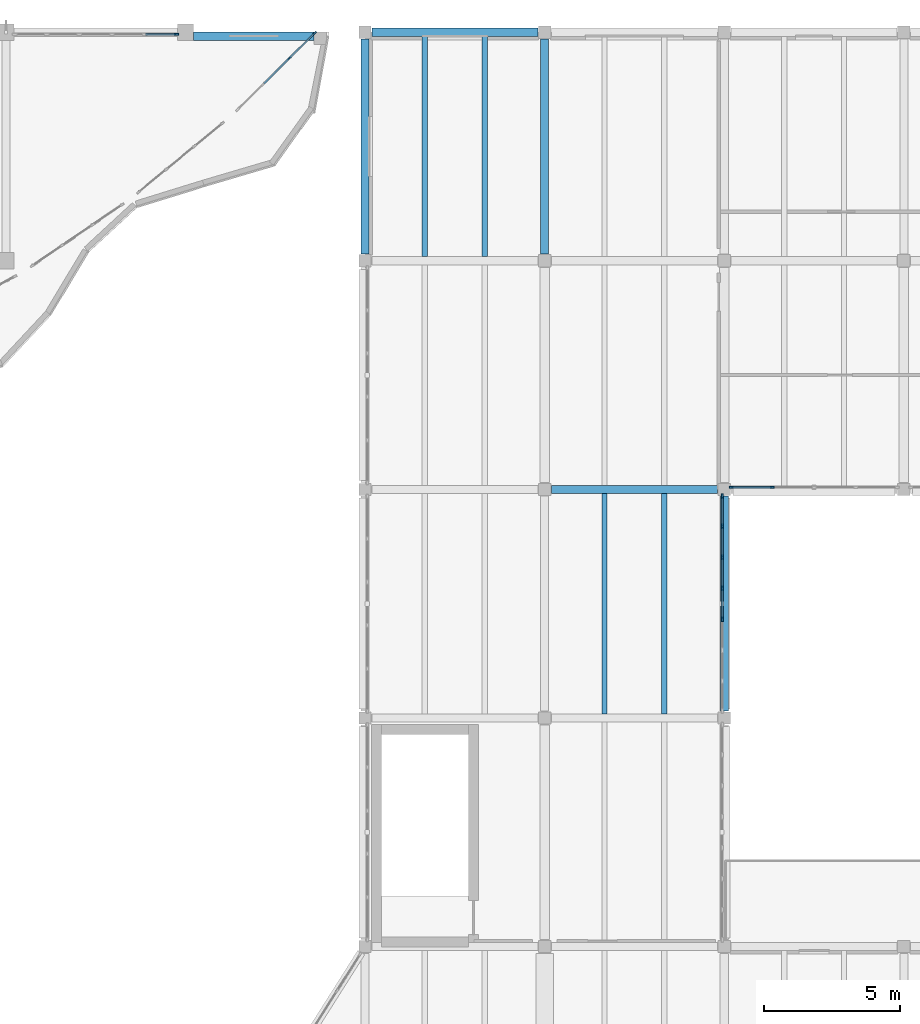
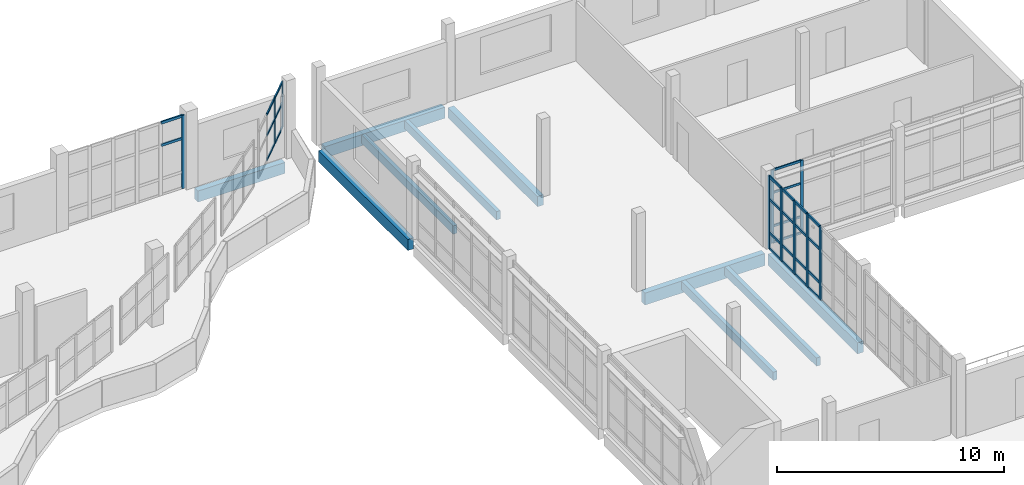
# One storey, part 31 of 74: 38 members, 10 beams, 4 elements without a shape of their own.
"""IFC4 building model written with IfcOpenShell, lengths in metres."""

import ifcopenshell
import ifcopenshell.guid

model = None  # the IFC model being written
_history = None  # IfcOwnerHistory: only IFC2X3 demands one
_inside = {}  # id of a spatial element -> (the spatial element, [elements in it])
_under = {}  # id of a project, library or spatial element -> (it, [spatial elements below it])
_declared = {}  # id of a project -> (the project, [libraries it declares])
_typed = {}  # id of a type object -> (the type object, [elements of that type])
_made_of = {}  # id of a material, layer set ... -> (it, [elements and type objects made of it])


def new_model(schema):
    """Start an empty IFC model of exactly this schema.

    Asked for "IFC4X3", IfcOpenShell would pick the latest addendum, in which some entities
    have other attributes; the version numbers below select the first issue.
    IFC2X3 requires an IfcOwnerHistory on every rooted entity: one is made here for all.
    """
    global model, _history
    if schema == "IFC4X3":
        model = ifcopenshell.file(schema_version=(4, 3, 0, 0))
    else:
        model = ifcopenshell.file(schema=schema)
    _inside.clear()
    _under.clear()
    _declared.clear()
    _typed.clear()
    _made_of.clear()
    _history = None
    if model.schema == "IFC2X3":
        org = make("IfcOrganization", Name="unknown")
        user = make(
            "IfcPersonAndOrganization",
            ThePerson=make("IfcPerson", FamilyName="unknown"),
            TheOrganization=org,
        )
        app = make(
            "IfcApplication",
            ApplicationDeveloper=org,
            Version="unknown",
            ApplicationFullName="unknown",
            ApplicationIdentifier="unknown",
        )
        _history = make(
            "IfcOwnerHistory",
            OwningUser=user,
            OwningApplication=app,
            ChangeAction="ADDED",
            CreationDate=0,
        )
    return model


def make(cls, **values):
    """One entity of the class cls with the attributes given. An attribute that is None is left unset."""
    return model.create_entity(
        cls, **{name: value for name, value in values.items() if value is not None}
    )


def rooted(cls, **values):
    """An entity with a GlobalId (a new one), such as an element, a storey or a relation."""
    return make(cls, GlobalId=ifcopenshell.guid.new(), OwnerHistory=_history, **values)


def si_unit(unit_type, name, prefix=None):
    """IfcSIUnit, for example si_unit("LENGTHUNIT", "METRE", prefix="MILLI")."""
    return make("IfcSIUnit", UnitType=unit_type, Prefix=prefix, Name=name)


def assignment(units):
    """IfcUnitAssignment: the units of a project."""
    return None if units is None else make("IfcUnitAssignment", Units=units)


def point(xyz):
    """IfcCartesianPoint."""
    return None if xyz is None else make("IfcCartesianPoint", Coordinates=xyz)


def direction(xyz):
    """IfcDirection."""
    return None if xyz is None else make("IfcDirection", DirectionRatios=xyz)


def frame(location, z_axis=None, x_axis=None):
    """IfcAxis2Placement3D, a coordinate frame: its origin and axes. An axis left out is left unset."""
    return make(
        "IfcAxis2Placement3D",
        Location=point(location),
        Axis=direction(z_axis),
        RefDirection=direction(x_axis),
    )


def frame_2d(location, x_axis=None):
    """IfcAxis2Placement2D, a coordinate frame in the plane: its origin and x axis."""
    return make(
        "IfcAxis2Placement2D", Location=point(location), RefDirection=direction(x_axis)
    )


def origin():
    """The frame at (0, 0, 0) with its axes left unset."""
    return frame((0.0, 0.0, 0.0))


def origin_2d():
    """The frame at (0, 0) in the plane with its x axis left unset."""
    return frame_2d((0.0, 0.0))


def place(relative_to, where):
    """IfcLocalPlacement: puts the frame where relative to a parent placement (None: the world)."""
    return make(
        "IfcLocalPlacement", PlacementRelTo=relative_to, RelativePlacement=where
    )


def context(
    kind, dimensions, precision=None, world=None, true_north=None, identifier=None
):
    """IfcGeometricRepresentationContext, for example the 3D "Model" context."""
    return make(
        "IfcGeometricRepresentationContext",
        ContextIdentifier=identifier,
        ContextType=kind,
        CoordinateSpaceDimension=dimensions,
        Precision=precision,
        WorldCoordinateSystem=world,
        TrueNorth=true_north,
    )


def subcontext(parent, identifier, kind, view, scale=None):
    """IfcGeometricRepresentationSubContext, for example "Body" below "Model"."""
    return make(
        "IfcGeometricRepresentationSubContext",
        ContextIdentifier=identifier,
        ContextType=kind,
        ParentContext=parent,
        TargetScale=scale,
        TargetView=view,
    )


def project(units=None, contexts=None):
    """IfcProject with its units and contexts."""
    return rooted(
        "IfcProject",
        Name="project",
        RepresentationContexts=contexts,
        UnitsInContext=assignment(units),
    )


def spatial(cls, under=None, at=None, **own):
    """A site, building, storey or space (cls), placed at a placement, below another one or the project."""
    s = rooted(cls, ObjectPlacement=at, **own)
    if under is not None:
        _under.setdefault(under.id(), (under, []))[1].append(s)
    return s


def profile(cls, at=None, kind="AREA", **sizes):
    """A parametric profile (cls). Its sizes go by their IFC names, for example OverallWidth=200.0."""
    return make(cls, ProfileType=kind, Position=at, **sizes)


def rectangle(**sizes):
    """IfcRectangleProfileDef."""
    return profile("IfcRectangleProfileDef", **sizes)


def extrude(swept, where, along, depth):
    """IfcExtrudedAreaSolid: the profile swept, set in the frame where, extruded along a direction by depth."""
    return make(
        "IfcExtrudedAreaSolid",
        SweptArea=swept,
        Position=where,
        ExtrudedDirection=direction(along),
        Depth=depth,
    )


def shape(context_of_items, identifier, shape_type, items):
    """IfcShapeRepresentation: the items that make up one representation, for example the "Body"."""
    return make(
        "IfcShapeRepresentation",
        ContextOfItems=context_of_items,
        RepresentationIdentifier=identifier,
        RepresentationType=shape_type,
        Items=items,
    )


def material(Name=None, Category=None):
    """IfcMaterial."""
    return make("IfcMaterial", Name=Name, Category=Category)


def material_profile(
    of_material, cross_section, Name=None, Category=None, Priority=None
):
    """IfcMaterialProfile: a cross section and its material."""
    return make(
        "IfcMaterialProfile",
        Name=Name,
        Material=of_material,
        Profile=cross_section,
        Priority=Priority,
        Category=Category,
    )


def profile_set(profiles, Name=None, composite=None):
    """IfcMaterialProfileSet."""
    return make(
        "IfcMaterialProfileSet",
        Name=Name,
        MaterialProfiles=profiles,
        CompositeProfile=composite,
    )


def made_of(thing, what):
    """Note that an element or type object is made of a material, layer set ...; save() writes the relation."""
    if what is not None:
        _made_of.setdefault(what.id(), (what, []))[1].append(thing)
    return thing


def type_object(cls, material=None, **own):
    """A type object (cls), such as IfcWallType, which elements share."""
    return made_of(rooted(cls, **own), material)


def element(
    cls,
    number,
    at=None,
    inside=None,
    cuts=None,
    type_object=None,
    material=None,
    context=None,
    identifier="Body",
    shape_type=None,
    held_by="IfcProductDefinitionShape",
    body=None,
    shapes=None,
    **own,
):
    """One element of the class cls, such as IfcWall. Its Tag is "e" and its number.

    at: its placement. inside: the storey or other place that contains it. cuts: it is an
    opening in that element (IfcRelVoidsElement). A single representation is given by context,
    identifier, shape_type and body (its items); several are given by shapes. held_by: the class
    of the entity that holds the representations. save() writes the other relations.
    """
    e = rooted(cls, Tag="e%d" % number, ObjectPlacement=at, **own)
    if body is not None:
        shapes = [shape(context, identifier, shape_type, body)]
    if shapes is not None:
        e.Representation = make(held_by, Representations=shapes)
    if inside is not None:
        _inside.setdefault(inside.id(), (inside, []))[1].append(e)
    if cuts is not None:
        rooted(
            "IfcRelVoidsElement", RelatingBuildingElement=cuts, RelatedOpeningElement=e
        )
    if type_object is not None:
        _typed.setdefault(type_object.id(), (type_object, []))[1].append(e)
    return made_of(e, material)


def aggregate(whole, parts):
    """IfcRelAggregates: a whole, such as a stair, and the parts it consists of."""
    return rooted("IfcRelAggregates", RelatingObject=whole, RelatedObjects=parts)


def save(model, path):
    """Write the relations noted so far, then the file.

    IfcRelAggregates (storeys below a building ...), IfcRelContainedInSpatialStructure (elements
    in a storey), IfcRelDefinesByType, IfcRelAssociatesMaterial and IfcRelDeclares: one each for
    every whole, place, type object, material and project.
    """
    for whole, parts in _under.values():
        aggregate(whole, parts)
    for where, things in _inside.values():
        rooted(
            "IfcRelContainedInSpatialStructure",
            RelatedElements=things,
            RelatingStructure=where,
        )
    for kind, things in _typed.values():
        rooted("IfcRelDefinesByType", RelatedObjects=things, RelatingType=kind)
    for what, things in _made_of.values():
        rooted("IfcRelAssociatesMaterial", RelatedObjects=things, RelatingMaterial=what)
    for by, libraries in _declared.values():
        rooted("IfcRelDeclares", RelatingContext=by, RelatedDefinitions=libraries)
    model.write(path)


model = new_model("IFC4")

# Units and contexts
model_context = context("Model", 3, precision=1e-05, world=origin(), true_north=direction((0.0, 1.0)))
body_context = subcontext(model_context, "Body", "Model", "MODEL_VIEW")
ifc_project = project(units=[si_unit("LENGTHUNIT", "METRE"), si_unit("AREAUNIT", "SQUARE_METRE"), si_unit("VOLUMEUNIT", "CUBIC_METRE"), si_unit("PLANEANGLEUNIT", "RADIAN"), si_unit("MASSUNIT", "GRAM", prefix="KILO")], contexts=[model_context])

# Site, building, storey
site_placement = place(None, origin())
site = spatial("IfcSite", under=ifc_project, at=site_placement, CompositionType="ELEMENT")
building_placement = place(site_placement, origin())
building = spatial("IfcBuilding", under=site, at=building_placement, Name="Qaldarim Faculty of Natural and Applied Sciences", CompositionType="ELEMENT")
storey_placement = place(building_placement, frame((0.0, 0.0, 14.39990234375)))
storey = spatial("IfcBuildingStorey", under=building, at=storey_placement, Name="L03", CompositionType="ELEMENT", Elevation=14.39990234375)

# Beams
ifc_material_1 = material(Name="Concrete C40/50", Category="concrete")
ifc_material_profile_1 = material_profile(ifc_material_1, rectangle(XDim=0.300048828125, YDim=0.550048828125, at=origin_2d()), Name="RC-B300x550")
ifc_profile_set_1 = profile_set([ifc_material_profile_1], Name="Concrete C40/50")
beam_type_1 = type_object("IfcBeamType", Name="FloorBeam-RC300x550", PredefinedType="BEAM", material=ifc_profile_set_1)
beam_1_placement = place(storey_placement, frame((158.39990234375, 109.449951171875, -0.534912109375), z_axis=(0.0, 1.0, 0.0), x_axis=(-1.0, 0.0, 0.0)))
element("IfcBeam", 1, at=beam_1_placement, inside=storey, type_object=beam_type_1, Name="Beam RC-B300x550 L02 X25/Y14-Y15", PredefinedType="BEAM", context=body_context, shape_type="SweptSolid", body=[
    extrude(rectangle(XDim=0.300048828125, YDim=0.550048828125, at=origin_2d()), origin(), (0.0, 0.0, 1.0), 7.900146484375),
])
ifc_material_profile_2 = material_profile(ifc_material_1, rectangle(XDim=0.199951171875, YDim=0.449951171875, at=origin_2d()), Name="RC-J200x450")
ifc_profile_set_2 = profile_set([ifc_material_profile_2], Name="Concrete C40/50")
beam_type_2 = type_object("IfcBeamType", Name="LabJoist-RC200x450", PredefinedType="JOIST", material=ifc_profile_set_2)
for number, where, z_axis, x_axis, name in (
    (2, (154.0, 109.35009765625, -0.48486328125), (0.0, 1.0, 0.0), (-1.0, 0.0, 0.0), "Laboratory joist L02 bay X24Y14-1"),
    (3, (156.199951171875, 109.35009765625, -0.48486328125), (0.0, 1.0, 0.0), (-1.0, 0.0, 0.0), "Laboratory joist L02 bay X24Y14-2"),
    (4, (160.60009765625, 92.550048828125, -0.48486328125), (0.0, 1.0, 0.0), (-1.0, 0.0, 0.0), "Laboratory joist L02 bay X25Y12-1"),
    (5, (162.800048828125, 92.550048828125, -0.48486328125), (0.0, 1.0, 0.0), (-1.0, 0.0, 0.0), "Laboratory joist L02 bay X25Y12-2"),
):
    element("IfcBeam", number, at=place(storey_placement, frame(where, z_axis=z_axis, x_axis=x_axis)), inside=storey, type_object=beam_type_2, Name=name, PredefinedType="JOIST", context=body_context, shape_type="SweptSolid", body=[
        extrude(rectangle(XDim=0.199951171875, YDim=0.449951171875, at=origin_2d()), origin(), (0.0, 0.0, 1.0), 8.099853515625),
    ])

# Curtain wall, members
ifc_material_2 = material(Name="Anodised aluminium AW-6063", Category="aluminium")
curtain_wall_type_1 = type_object("IfcCurtainWallType", Name="CurtainWallSystem-M1600", PredefinedType="USERDEFINED", material=ifc_material_2)
curtain_wall_1_placement = place(storey_placement, origin())
curtain_wall_1 = element("IfcCurtainWall", 6, at=curtain_wall_1_placement, inside=storey, type_object=curtain_wall_type_1, Name="Curtain wall CW-L03-S-X26Y13", ObjectType="UNITISED FACADE", PredefinedType="USERDEFINED")
ifc_material_profile_3 = material_profile(ifc_material_2, rectangle(XDim=0.06005859375, YDim=0.14990234375, at=origin_2d()), Name="ALU-M60x150")
ifc_profile_set_3 = profile_set([ifc_material_profile_3], Name="Anodised aluminium AW-6063")
member_type_1 = type_object("IfcMemberType", Name="Mullion-ALU60x150", PredefinedType="MULLION", material=ifc_profile_set_3)
member_1_placement = place(storey_placement, frame((165.25, 100.8798828125, 0.0), z_axis=(0.0, 0.0, 1.0), x_axis=(0.0, 1.0, 0.0)))
member_1 = element("IfcMember", 7, at=member_1_placement, type_object=member_type_1, Name="Mullion 1 of CW-L03-S-X26Y13", PredefinedType="MULLION", context=body_context, shape_type="SweptSolid", body=[
    extrude(rectangle(XDim=0.06005859375, YDim=0.14990234375, at=origin_2d()), origin(), (0.0, 0.0, 1.0), 3.940185546875),
])
member_2_placement = place(storey_placement, frame((166.760009765625, 100.8798828125, 0.0), z_axis=(0.0, 0.0, 1.0), x_axis=(0.0, 1.0, 0.0)))
member_2 = element("IfcMember", 8, at=member_2_placement, type_object=member_type_1, Name="Mullion 2 of CW-L03-S-X26Y13", PredefinedType="MULLION", context=body_context, shape_type="SweptSolid", body=[
    extrude(rectangle(XDim=0.06005859375, YDim=0.14990234375, at=origin_2d()), origin(), (0.0, 0.0, 1.0), 3.940185546875),
])

curtain_wall_type_2 = type_object("IfcCurtainWallType", Name="CurtainWallSystem-M1400", PredefinedType="USERDEFINED", material=ifc_material_2)
curtain_wall_2_placement = place(storey_placement, origin())
curtain_wall_2 = element("IfcCurtainWall", 9, at=curtain_wall_2_placement, inside=storey, type_object=curtain_wall_type_2, Name="Curtain wall CW-V4ARC-L03-16", ObjectType="STICK CURTAIN WALL", PredefinedType="USERDEFINED")
member_3_placement = place(storey_placement, frame((149.01171875, 116.639892578125, 1.4501953125), z_axis=(0.0, 0.0, 1.0), x_axis=(-0.704014724456, 0.710185375623, 0.0)))
member_3 = element("IfcMember", 10, at=member_3_placement, type_object=member_type_1, Name="Mullion 3 of CW-V4ARC-L03-16", PredefinedType="MULLION", context=body_context, shape_type="SweptSolid", body=[
    extrude(rectangle(XDim=0.06005859375, YDim=0.14990234375, at=origin_2d()), origin(), (0.0, 0.0, 1.0), 2.489990234375),
])
member_4_placement = place(storey_placement, frame((149.94873046875, 117.56884765625, 1.4501953125), z_axis=(0.0, 0.0, 1.0), x_axis=(-0.704014724456, 0.710185375623, 0.0)))
member_4 = element("IfcMember", 11, at=member_4_placement, type_object=member_type_1, Name="Mullion 4 of CW-V4ARC-L03-16", PredefinedType="MULLION", context=body_context, shape_type="SweptSolid", body=[
    extrude(rectangle(XDim=0.06005859375, YDim=0.14990234375, at=origin_2d()), origin(), (0.0, 0.0, 1.0), 2.489990234375),
])

# Curtain wall, member
curtain_wall_type_3 = type_object("IfcCurtainWallType", Name="CurtainWallSystem-M1200", PredefinedType="USERDEFINED", material=ifc_material_2)
curtain_wall_3_placement = place(storey_placement, origin())
curtain_wall_3 = element("IfcCurtainWall", 12, at=curtain_wall_3_placement, inside=storey, type_object=curtain_wall_type_3, Name="Curtain wall CW-L03-N-X22Y14", ObjectType="STICK CURTAIN WALL", PredefinedType="USERDEFINED")
ifc_material_profile_4 = material_profile(ifc_material_2, rectangle(XDim=0.070068359375, YDim=0.179931640625, at=origin_2d()), Name="ALU-M70x180")
ifc_profile_set_4 = profile_set([ifc_material_profile_4], Name="Anodised aluminium AW-6063")
member_type_2 = type_object("IfcMemberType", Name="Mullion-ALU70x180", PredefinedType="MULLION", material=ifc_profile_set_4)
member_5_placement = place(storey_placement, frame((144.8701171875, 117.52001953125, 0.0), z_axis=(0.0, 0.0, 1.0), x_axis=(0.0, -1.0, 0.0)))
member_5 = element("IfcMember", 13, at=member_5_placement, type_object=member_type_2, Name="Mullion 1 of CW-L03-N-X22Y14", PredefinedType="MULLION", context=body_context, shape_type="SweptSolid", body=[
    extrude(rectangle(XDim=0.070068359375, YDim=0.179931640625, at=origin_2d()), origin(), (0.0, 0.0, 1.0), 3.940185546875),
])

# Curtain wall, members
curtain_wall_4_placement = place(storey_placement, origin())
curtain_wall_4 = element("IfcCurtainWall", 14, at=curtain_wall_4_placement, inside=storey, type_object=curtain_wall_type_3, Name="Curtain wall CW-L03-E-X25Y12", ObjectType="STICK CURTAIN WALL", PredefinedType="USERDEFINED")
member_6_placement = place(storey_placement, frame((164.919921875, 96.031494140625, 0.0), z_axis=(0.0, 0.0, 1.0), x_axis=(-1.0, 0.0, 0.0)))
member_6 = element("IfcMember", 15, at=member_6_placement, type_object=member_type_2, Name="Mullion 4 of CW-L03-E-X25Y12", PredefinedType="MULLION", context=body_context, shape_type="SweptSolid", body=[
    extrude(rectangle(XDim=0.070068359375, YDim=0.179931640625, at=origin_2d()), origin(), (0.0, 0.0, 1.0), 3.940185546875),
])
member_7_placement = place(storey_placement, frame((164.919921875, 97.168701171875, 0.0), z_axis=(0.0, 0.0, 1.0), x_axis=(-1.0, 0.0, 0.0)))
member_7 = element("IfcMember", 16, at=member_7_placement, type_object=member_type_2, Name="Mullion 5 of CW-L03-E-X25Y12", PredefinedType="MULLION", context=body_context, shape_type="SweptSolid", body=[
    extrude(rectangle(XDim=0.070068359375, YDim=0.179931640625, at=origin_2d()), origin(), (0.0, 0.0, 1.0), 3.940185546875),
])
member_8_placement = place(storey_placement, frame((164.919921875, 98.3056640625, 0.0), z_axis=(0.0, 0.0, 1.0), x_axis=(-1.0, 0.0, 0.0)))
member_8 = element("IfcMember", 17, at=member_8_placement, type_object=member_type_2, Name="Mullion 6 of CW-L03-E-X25Y12", PredefinedType="MULLION", context=body_context, shape_type="SweptSolid", body=[
    extrude(rectangle(XDim=0.070068359375, YDim=0.179931640625, at=origin_2d()), origin(), (0.0, 0.0, 1.0), 3.940185546875),
])
member_9_placement = place(storey_placement, frame((164.919921875, 99.44287109375, 0.0), z_axis=(0.0, 0.0, 1.0), x_axis=(-1.0, 0.0, 0.0)))
member_9 = element("IfcMember", 18, at=member_9_placement, type_object=member_type_2, Name="Mullion 7 of CW-L03-E-X25Y12", PredefinedType="MULLION", context=body_context, shape_type="SweptSolid", body=[
    extrude(rectangle(XDim=0.070068359375, YDim=0.179931640625, at=origin_2d()), origin(), (0.0, 0.0, 1.0), 3.940185546875),
])
member_10_placement = place(storey_placement, frame((164.919921875, 100.544921875, 0.0), z_axis=(0.0, 0.0, 1.0), x_axis=(-1.0, 0.0, 0.0)))
member_10 = element("IfcMember", 19, at=member_10_placement, type_object=member_type_2, Name="Mullion 8 of CW-L03-E-X25Y12", PredefinedType="MULLION", context=body_context, shape_type="SweptSolid", body=[
    extrude(rectangle(XDim=0.070068359375, YDim=0.179931640625, at=origin_2d()), origin(), (0.0, 0.0, 1.0), 3.940185546875),
])

# Beams
ifc_material_profile_5 = material_profile(ifc_material_1, rectangle(XDim=0.300048828125, YDim=0.64990234375, at=origin_2d()), Name="RC-B300x650")
ifc_profile_set_5 = profile_set([ifc_material_profile_5], Name="Concrete C40/50")
beam_type_3 = type_object("IfcBeamType", Name="PrimaryBeam-RC300x650", PredefinedType="BEAM", material=ifc_profile_set_5)
beam_2_placement = place(storey_placement, frame((158.64990234375, 100.800048828125, -0.5849609375), z_axis=(1.0, 0.0, 0.0), x_axis=(0.0, 1.0, 0.0)))
element("IfcBeam", 20, at=beam_2_placement, inside=storey, type_object=beam_type_3, Name="Beam RC-B300x650 L02 X25-X26/Y13", PredefinedType="BEAM", context=body_context, shape_type="SweptSolid", body=[
    extrude(rectangle(XDim=0.300048828125, YDim=0.64990234375, at=origin_2d()), origin(), (0.0, 0.0, 1.0), 6.10009765625),
])
ifc_material_3 = material(Name="Precast concrete C40/50", Category="concrete")
ifc_material_profile_6 = material_profile(ifc_material_3, rectangle(XDim=0.300048828125, YDim=0.60009765625, at=origin_2d()), Name="RC-SP300x600")
ifc_profile_set_6 = profile_set([ifc_material_profile_6], Name="Precast concrete C40/50")
beam_type_4 = type_object("IfcBeamType", Name="SpandrelBeam-RC300x600", PredefinedType="SPANDREL", material=ifc_profile_set_6)
beam_3_placement = place(storey_placement, frame((152.050048828125, 117.60009765625, -0.559814453125), z_axis=(1.0, 0.0, 0.0), x_axis=(0.0, 1.0, 0.0)))
element("IfcBeam", 21, at=beam_3_placement, inside=storey, type_object=beam_type_4, Name="Beam RC-SP300x600 L02 X24-X25/Y15", PredefinedType="SPANDREL", context=body_context, shape_type="SweptSolid", body=[
    extrude(rectangle(XDim=0.300048828125, YDim=0.60009765625, at=origin_2d()), origin(), (0.0, 0.0, 1.0), 6.099853515625),
])
for number, where, z_axis, x_axis, name in (
    (22, (151.800048828125, 109.449951171875, -0.559814453125), (0.0, 1.0, 0.0), (-1.0, 0.0, 0.0), "Beam RC-SP300x600 L02 X24/Y14-Y15"),
    (23, (165.0, 92.64990234375, -0.559814453125), (0.0, 1.0, 0.0), (-1.0, 0.0, 0.0), "Beam RC-SP300x600 L02 X26/Y12-Y13"),
):
    element("IfcBeam", number, at=place(storey_placement, frame(where, z_axis=z_axis, x_axis=x_axis)), inside=storey, type_object=beam_type_4, Name=name, PredefinedType="SPANDREL", context=body_context, shape_type="SweptSolid", body=[
        extrude(rectangle(XDim=0.300048828125, YDim=0.60009765625, at=origin_2d()), origin(), (0.0, 0.0, 1.0), 7.900146484375),
    ])
beam_4_placement = place(storey_placement, frame((145.5, 117.449951171875, -0.559814453125), z_axis=(1.0, 0.0, 0.0), x_axis=(0.0, 1.0, 0.0)))
element("IfcBeam", 24, at=beam_4_placement, inside=storey, type_object=beam_type_4, Name="Laboratories NE corner perimeter beam L02", PredefinedType="SPANDREL", context=body_context, shape_type="SweptSolid", body=[
    extrude(rectangle(XDim=0.300048828125, YDim=0.60009765625, at=origin_2d()), origin(), (0.0, 0.0, 1.0), 4.425048828125),
])

# Member
ifc_material_profile_7 = material_profile(ifc_material_2, rectangle(XDim=0.06005859375, YDim=0.1201171875, at=origin_2d()), Name="ALU-T60x120")
ifc_profile_set_7 = profile_set([ifc_material_profile_7], Name="Anodised aluminium AW-6063")
member_type_3 = type_object("IfcMemberType", Name="Transom-ALU60x120", PredefinedType="USERDEFINED", material=ifc_profile_set_7)
member_11_placement = place(storey_placement, frame((165.280029296875, 100.8798828125, 0.030029296875), z_axis=(1.0, 0.0, 0.0), x_axis=(0.0, 1.0, 0.0)))
member_11 = element("IfcMember", 25, at=member_11_placement, type_object=member_type_3, Name="Transom 1-1 of CW-L03-S-X26Y13", ObjectType="TRANSOM", PredefinedType="USERDEFINED", context=body_context, shape_type="SweptSolid", body=[
    extrude(rectangle(XDim=0.06005859375, YDim=0.1201171875, at=origin_2d()), origin(), (0.0, 0.0, 1.0), 1.449951171875),
])

member_12_placement = place(storey_placement, frame((165.280029296875, 100.8798828125, 0.900146484375), z_axis=(1.0, 0.0, 0.0), x_axis=(0.0, 1.0, 0.0)))
member_12 = element("IfcMember", 26, at=member_12_placement, type_object=member_type_3, Name="Transom 1-2 of CW-L03-S-X26Y13", ObjectType="TRANSOM", PredefinedType="USERDEFINED", context=body_context, shape_type="SweptSolid", body=[
    extrude(rectangle(XDim=0.06005859375, YDim=0.1201171875, at=origin_2d()), origin(), (0.0, 0.0, 1.0), 1.449951171875),
])

member_13_placement = place(storey_placement, frame((165.280029296875, 100.8798828125, 2.7001953125), z_axis=(1.0, 0.0, 0.0), x_axis=(0.0, 1.0, 0.0)))
member_13 = element("IfcMember", 27, at=member_13_placement, type_object=member_type_3, Name="Transom 1-3 of CW-L03-S-X26Y13", ObjectType="TRANSOM", PredefinedType="USERDEFINED", context=body_context, shape_type="SweptSolid", body=[
    extrude(rectangle(XDim=0.06005859375, YDim=0.1201171875, at=origin_2d()), origin(), (0.0, 0.0, 1.0), 1.449951171875),
])

member_14_placement = place(storey_placement, frame((165.280029296875, 100.8798828125, 3.91015625), z_axis=(1.0, 0.0, 0.0), x_axis=(0.0, 1.0, 0.0)))
member_14 = element("IfcMember", 28, at=member_14_placement, type_object=member_type_3, Name="Transom 1-4 of CW-L03-S-X26Y13", ObjectType="TRANSOM", PredefinedType="USERDEFINED", context=body_context, shape_type="SweptSolid", body=[
    extrude(rectangle(XDim=0.06005859375, YDim=0.1201171875, at=origin_2d()), origin(), (0.0, 0.0, 1.0), 1.449951171875),
])

aggregate(curtain_wall_1, [member_1, member_2, member_11, member_12, member_13, member_14])

member_15_placement = place(storey_placement, frame((148.07470703125, 115.711181640625, 1.47998046875), z_axis=(0.710224032192, 0.703975726923, 0.0), x_axis=(-0.703975726923, 0.710224032192, 0.0)))
member_15 = element("IfcMember", 29, at=member_15_placement, type_object=member_type_3, Name="Transom 2-1 of CW-V4ARC-L03-16", ObjectType="TRANSOM", PredefinedType="USERDEFINED", context=body_context, shape_type="SweptSolid", body=[
    extrude(rectangle(XDim=0.06005859375, YDim=0.1201171875, at=origin_2d()), origin(), (0.0, 0.0, 1.0), 1.289306640625),
])

member_16_placement = place(storey_placement, frame((148.07470703125, 115.711181640625, 2.800048828125), z_axis=(0.710224032192, 0.703975726923, 0.0), x_axis=(-0.703975726923, 0.710224032192, 0.0)))
member_16 = element("IfcMember", 30, at=member_16_placement, type_object=member_type_3, Name="Transom 2-2 of CW-V4ARC-L03-16", ObjectType="TRANSOM", PredefinedType="USERDEFINED", context=body_context, shape_type="SweptSolid", body=[
    extrude(rectangle(XDim=0.06005859375, YDim=0.1201171875, at=origin_2d()), origin(), (0.0, 0.0, 1.0), 1.289306640625),
])

member_17_placement = place(storey_placement, frame((148.07470703125, 115.711181640625, 3.91015625), z_axis=(0.710224032192, 0.703975726923, 0.0), x_axis=(-0.703975726923, 0.710224032192, 0.0)))
member_17 = element("IfcMember", 31, at=member_17_placement, type_object=member_type_3, Name="Transom 2-3 of CW-V4ARC-L03-16", ObjectType="TRANSOM", PredefinedType="USERDEFINED", context=body_context, shape_type="SweptSolid", body=[
    extrude(rectangle(XDim=0.06005859375, YDim=0.1201171875, at=origin_2d()), origin(), (0.0, 0.0, 1.0), 1.289306640625),
])

member_18_placement = place(storey_placement, frame((149.032958984375, 116.6611328125, 1.47998046875), z_axis=(0.71020129579, 0.703998664386, 0.0), x_axis=(-0.703998664386, 0.71020129579, 0.0)))
member_18 = element("IfcMember", 32, at=member_18_placement, type_object=member_type_3, Name="Transom 3-1 of CW-V4ARC-L03-16", ObjectType="TRANSOM", PredefinedType="USERDEFINED", context=body_context, shape_type="SweptSolid", body=[
    extrude(rectangle(XDim=0.06005859375, YDim=0.1201171875, at=origin_2d()), origin(), (0.0, 0.0, 1.0), 1.259521484375),
])

member_19_placement = place(storey_placement, frame((149.032958984375, 116.6611328125, 2.800048828125), z_axis=(0.71020129579, 0.703998664386, 0.0), x_axis=(-0.703998664386, 0.71020129579, 0.0)))
member_19 = element("IfcMember", 33, at=member_19_placement, type_object=member_type_3, Name="Transom 3-2 of CW-V4ARC-L03-16", ObjectType="TRANSOM", PredefinedType="USERDEFINED", context=body_context, shape_type="SweptSolid", body=[
    extrude(rectangle(XDim=0.06005859375, YDim=0.1201171875, at=origin_2d()), origin(), (0.0, 0.0, 1.0), 1.259521484375),
])

member_20_placement = place(storey_placement, frame((149.032958984375, 116.6611328125, 3.91015625), z_axis=(0.71020129579, 0.703998664386, 0.0), x_axis=(-0.703998664386, 0.71020129579, 0.0)))
member_20 = element("IfcMember", 34, at=member_20_placement, type_object=member_type_3, Name="Transom 3-3 of CW-V4ARC-L03-16", ObjectType="TRANSOM", PredefinedType="USERDEFINED", context=body_context, shape_type="SweptSolid", body=[
    extrude(rectangle(XDim=0.06005859375, YDim=0.1201171875, at=origin_2d()), origin(), (0.0, 0.0, 1.0), 1.259521484375),
])

aggregate(curtain_wall_2, [member_3, member_4, member_15, member_16, member_17, member_18, member_19, member_20])

ifc_material_profile_8 = material_profile(ifc_material_2, rectangle(XDim=0.070068359375, YDim=0.139892578125, at=origin_2d()), Name="ALU-T70x140")
ifc_profile_set_8 = profile_set([ifc_material_profile_8], Name="Anodised aluminium AW-6063")
member_type_4 = type_object("IfcMemberType", Name="Transom-ALU70x140", PredefinedType="USERDEFINED", material=ifc_profile_set_8)
member_21_placement = place(storey_placement, frame((144.8349609375, 117.52001953125, 2.7001953125), z_axis=(-1.0, 0.0, 0.0), x_axis=(0.0, -1.0, 0.0)))
member_21 = element("IfcMember", 35, at=member_21_placement, type_object=member_type_4, Name="Transom 1-3 of CW-L03-N-X22Y14", ObjectType="TRANSOM", PredefinedType="USERDEFINED", context=body_context, shape_type="SweptSolid", body=[
    extrude(rectangle(XDim=0.070068359375, YDim=0.139892578125, at=origin_2d()), origin(), (0.0, 0.0, 1.0), 1.096923828125),
])

member_22_placement = place(storey_placement, frame((144.8349609375, 117.52001953125, 3.905029296875), z_axis=(-1.0, 0.0, 0.0), x_axis=(0.0, -1.0, 0.0)))
member_22 = element("IfcMember", 36, at=member_22_placement, type_object=member_type_4, Name="Transom 1-4 of CW-L03-N-X22Y14", ObjectType="TRANSOM", PredefinedType="USERDEFINED", context=body_context, shape_type="SweptSolid", body=[
    extrude(rectangle(XDim=0.070068359375, YDim=0.139892578125, at=origin_2d()), origin(), (0.0, 0.0, 1.0), 1.096923828125),
])

aggregate(curtain_wall_3, [member_5, member_21, member_22])

member_23_placement = place(storey_placement, frame((164.919921875, 96.06640625, 0.03515625), z_axis=(0.0, 1.0, 0.0), x_axis=(-1.0, 0.0, 0.0)))
member_23 = element("IfcMember", 37, at=member_23_placement, type_object=member_type_4, Name="Transom 4-1 of CW-L03-E-X25Y12", ObjectType="TRANSOM", PredefinedType="USERDEFINED", context=body_context, shape_type="SweptSolid", body=[
    extrude(rectangle(XDim=0.070068359375, YDim=0.139892578125, at=origin_2d()), origin(), (0.0, 0.0, 1.0), 1.067138671875),
])

member_24_placement = place(storey_placement, frame((164.919921875, 96.06640625, 0.900146484375), z_axis=(0.0, 1.0, 0.0), x_axis=(-1.0, 0.0, 0.0)))
member_24 = element("IfcMember", 38, at=member_24_placement, type_object=member_type_4, Name="Transom 4-2 of CW-L03-E-X25Y12", ObjectType="TRANSOM", PredefinedType="USERDEFINED", context=body_context, shape_type="SweptSolid", body=[
    extrude(rectangle(XDim=0.070068359375, YDim=0.139892578125, at=origin_2d()), origin(), (0.0, 0.0, 1.0), 1.067138671875),
])

member_25_placement = place(storey_placement, frame((164.919921875, 96.06640625, 2.7001953125), z_axis=(0.0, 1.0, 0.0), x_axis=(-1.0, 0.0, 0.0)))
member_25 = element("IfcMember", 39, at=member_25_placement, type_object=member_type_4, Name="Transom 4-3 of CW-L03-E-X25Y12", ObjectType="TRANSOM", PredefinedType="USERDEFINED", context=body_context, shape_type="SweptSolid", body=[
    extrude(rectangle(XDim=0.070068359375, YDim=0.139892578125, at=origin_2d()), origin(), (0.0, 0.0, 1.0), 1.067138671875),
])

member_26_placement = place(storey_placement, frame((164.919921875, 96.06640625, 3.905029296875), z_axis=(0.0, 1.0, 0.0), x_axis=(-1.0, 0.0, 0.0)))
member_26 = element("IfcMember", 40, at=member_26_placement, type_object=member_type_4, Name="Transom 4-4 of CW-L03-E-X25Y12", ObjectType="TRANSOM", PredefinedType="USERDEFINED", context=body_context, shape_type="SweptSolid", body=[
    extrude(rectangle(XDim=0.070068359375, YDim=0.139892578125, at=origin_2d()), origin(), (0.0, 0.0, 1.0), 1.067138671875),
])

member_27_placement = place(storey_placement, frame((164.919921875, 97.20361328125, 0.03515625), z_axis=(0.0, 1.0, 0.0), x_axis=(-1.0, 0.0, 0.0)))
member_27 = element("IfcMember", 41, at=member_27_placement, type_object=member_type_4, Name="Transom 5-1 of CW-L03-E-X25Y12", ObjectType="TRANSOM", PredefinedType="USERDEFINED", context=body_context, shape_type="SweptSolid", body=[
    extrude(rectangle(XDim=0.070068359375, YDim=0.139892578125, at=origin_2d()), origin(), (0.0, 0.0, 1.0), 1.067138671875),
])

member_28_placement = place(storey_placement, frame((164.919921875, 97.20361328125, 0.900146484375), z_axis=(0.0, 1.0, 0.0), x_axis=(-1.0, 0.0, 0.0)))
member_28 = element("IfcMember", 42, at=member_28_placement, type_object=member_type_4, Name="Transom 5-2 of CW-L03-E-X25Y12", ObjectType="TRANSOM", PredefinedType="USERDEFINED", context=body_context, shape_type="SweptSolid", body=[
    extrude(rectangle(XDim=0.070068359375, YDim=0.139892578125, at=origin_2d()), origin(), (0.0, 0.0, 1.0), 1.067138671875),
])

member_29_placement = place(storey_placement, frame((164.919921875, 97.20361328125, 2.7001953125), z_axis=(0.0, 1.0, 0.0), x_axis=(-1.0, 0.0, 0.0)))
member_29 = element("IfcMember", 43, at=member_29_placement, type_object=member_type_4, Name="Transom 5-3 of CW-L03-E-X25Y12", ObjectType="TRANSOM", PredefinedType="USERDEFINED", context=body_context, shape_type="SweptSolid", body=[
    extrude(rectangle(XDim=0.070068359375, YDim=0.139892578125, at=origin_2d()), origin(), (0.0, 0.0, 1.0), 1.067138671875),
])

member_30_placement = place(storey_placement, frame((164.919921875, 97.20361328125, 3.905029296875), z_axis=(0.0, 1.0, 0.0), x_axis=(-1.0, 0.0, 0.0)))
member_30 = element("IfcMember", 44, at=member_30_placement, type_object=member_type_4, Name="Transom 5-4 of CW-L03-E-X25Y12", ObjectType="TRANSOM", PredefinedType="USERDEFINED", context=body_context, shape_type="SweptSolid", body=[
    extrude(rectangle(XDim=0.070068359375, YDim=0.139892578125, at=origin_2d()), origin(), (0.0, 0.0, 1.0), 1.067138671875),
])

member_31_placement = place(storey_placement, frame((164.919921875, 98.3408203125, 0.03515625), z_axis=(0.0, 1.0, 0.0), x_axis=(-1.0, 0.0, 0.0)))
member_31 = element("IfcMember", 45, at=member_31_placement, type_object=member_type_4, Name="Transom 6-1 of CW-L03-E-X25Y12", ObjectType="TRANSOM", PredefinedType="USERDEFINED", context=body_context, shape_type="SweptSolid", body=[
    extrude(rectangle(XDim=0.070068359375, YDim=0.139892578125, at=origin_2d()), origin(), (0.0, 0.0, 1.0), 1.067138671875),
])

member_32_placement = place(storey_placement, frame((164.919921875, 98.3408203125, 0.900146484375), z_axis=(0.0, 1.0, 0.0), x_axis=(-1.0, 0.0, 0.0)))
member_32 = element("IfcMember", 46, at=member_32_placement, type_object=member_type_4, Name="Transom 6-2 of CW-L03-E-X25Y12", ObjectType="TRANSOM", PredefinedType="USERDEFINED", context=body_context, shape_type="SweptSolid", body=[
    extrude(rectangle(XDim=0.070068359375, YDim=0.139892578125, at=origin_2d()), origin(), (0.0, 0.0, 1.0), 1.067138671875),
])

member_33_placement = place(storey_placement, frame((164.919921875, 98.3408203125, 2.7001953125), z_axis=(0.0, 1.0, 0.0), x_axis=(-1.0, 0.0, 0.0)))
member_33 = element("IfcMember", 47, at=member_33_placement, type_object=member_type_4, Name="Transom 6-3 of CW-L03-E-X25Y12", ObjectType="TRANSOM", PredefinedType="USERDEFINED", context=body_context, shape_type="SweptSolid", body=[
    extrude(rectangle(XDim=0.070068359375, YDim=0.139892578125, at=origin_2d()), origin(), (0.0, 0.0, 1.0), 1.067138671875),
])

member_34_placement = place(storey_placement, frame((164.919921875, 98.3408203125, 3.905029296875), z_axis=(0.0, 1.0, 0.0), x_axis=(-1.0, 0.0, 0.0)))
member_34 = element("IfcMember", 48, at=member_34_placement, type_object=member_type_4, Name="Transom 6-4 of CW-L03-E-X25Y12", ObjectType="TRANSOM", PredefinedType="USERDEFINED", context=body_context, shape_type="SweptSolid", body=[
    extrude(rectangle(XDim=0.070068359375, YDim=0.139892578125, at=origin_2d()), origin(), (0.0, 0.0, 1.0), 1.067138671875),
])

member_35_placement = place(storey_placement, frame((164.919921875, 99.477783203125, 0.03515625), z_axis=(0.0, 1.0, 0.0), x_axis=(-1.0, 0.0, 0.0)))
member_35 = element("IfcMember", 49, at=member_35_placement, type_object=member_type_4, Name="Transom 7-1 of CW-L03-E-X25Y12", ObjectType="TRANSOM", PredefinedType="USERDEFINED", context=body_context, shape_type="SweptSolid", body=[
    extrude(rectangle(XDim=0.070068359375, YDim=0.139892578125, at=origin_2d()), origin(), (0.0, 0.0, 1.0), 1.0322265625),
])

member_36_placement = place(storey_placement, frame((164.919921875, 99.477783203125, 0.900146484375), z_axis=(0.0, 1.0, 0.0), x_axis=(-1.0, 0.0, 0.0)))
member_36 = element("IfcMember", 50, at=member_36_placement, type_object=member_type_4, Name="Transom 7-2 of CW-L03-E-X25Y12", ObjectType="TRANSOM", PredefinedType="USERDEFINED", context=body_context, shape_type="SweptSolid", body=[
    extrude(rectangle(XDim=0.070068359375, YDim=0.139892578125, at=origin_2d()), origin(), (0.0, 0.0, 1.0), 1.0322265625),
])

member_37_placement = place(storey_placement, frame((164.919921875, 99.477783203125, 2.7001953125), z_axis=(0.0, 1.0, 0.0), x_axis=(-1.0, 0.0, 0.0)))
member_37 = element("IfcMember", 51, at=member_37_placement, type_object=member_type_4, Name="Transom 7-3 of CW-L03-E-X25Y12", ObjectType="TRANSOM", PredefinedType="USERDEFINED", context=body_context, shape_type="SweptSolid", body=[
    extrude(rectangle(XDim=0.070068359375, YDim=0.139892578125, at=origin_2d()), origin(), (0.0, 0.0, 1.0), 1.0322265625),
])

member_38_placement = place(storey_placement, frame((164.919921875, 99.477783203125, 3.905029296875), z_axis=(0.0, 1.0, 0.0), x_axis=(-1.0, 0.0, 0.0)))
member_38 = element("IfcMember", 52, at=member_38_placement, type_object=member_type_4, Name="Transom 7-4 of CW-L03-E-X25Y12", ObjectType="TRANSOM", PredefinedType="USERDEFINED", context=body_context, shape_type="SweptSolid", body=[
    extrude(rectangle(XDim=0.070068359375, YDim=0.139892578125, at=origin_2d()), origin(), (0.0, 0.0, 1.0), 1.0322265625),
])

aggregate(curtain_wall_4, [member_6, member_7, member_8, member_9, member_10, member_23, member_24, member_25, member_26, member_27, member_28, member_29, member_30, member_31, member_32, member_33, member_34, member_35, member_36, member_37, member_38])

save(model, "model.ifc")
